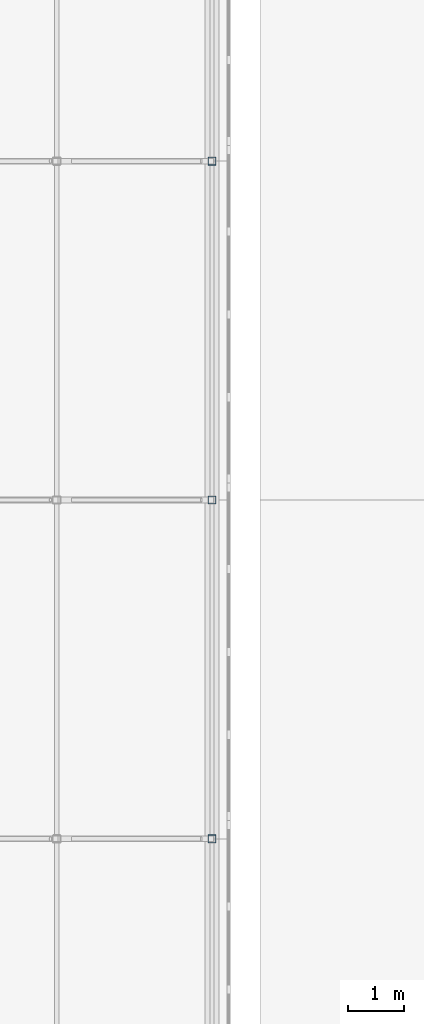
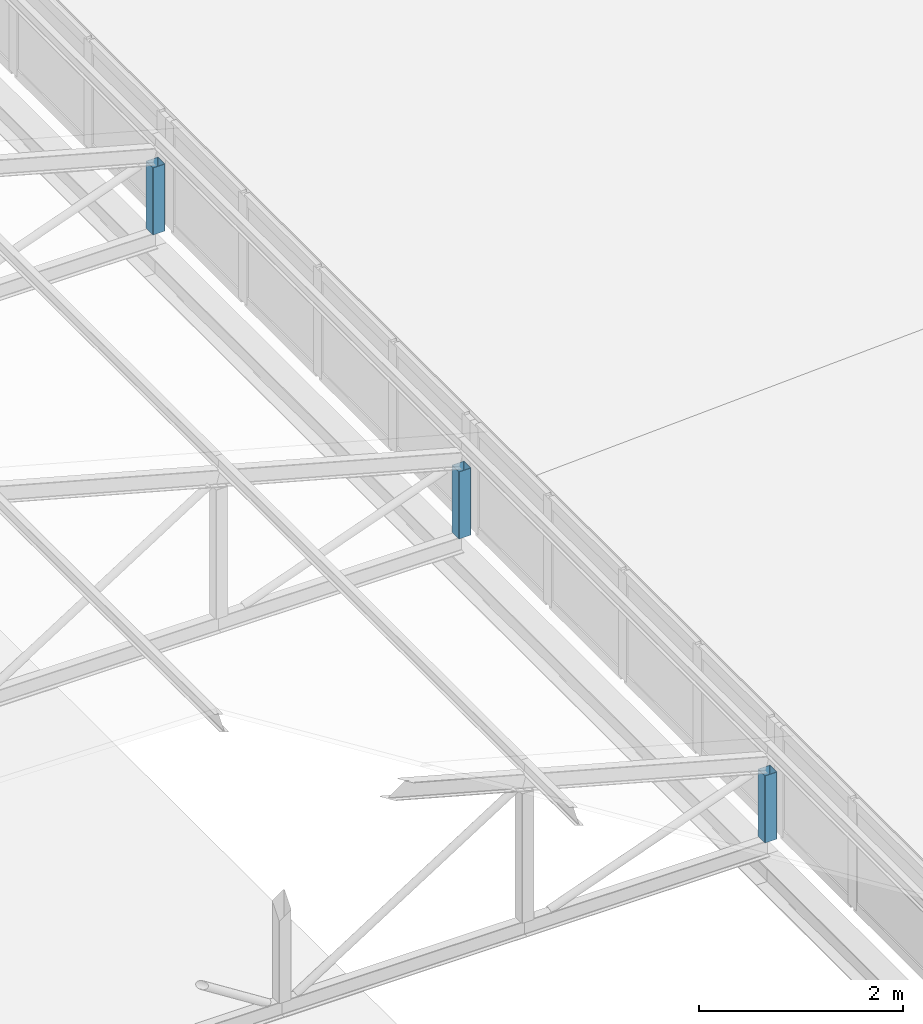
# One storey, part 67 of 94: 3 members.
"""IFC4 building model written with IfcOpenShell, lengths in metres."""

from ifc_helpers import new_model, si_unit, direction, frame, origin, origin_2d, place, context, subcontext, project, spatial, hollow_rectangle, extrude, material, material_profile, profile_set, type_object, element, save


model = new_model("IFC4")

# Units and contexts
model_context = context("Model", 3, precision=1e-05, world=origin(), true_north=direction((0.0, 1.0)))
body_context = subcontext(model_context, "Body", "Model", "MODEL_VIEW")
ifc_project = project(units=[si_unit("LENGTHUNIT", "METRE"), si_unit("AREAUNIT", "SQUARE_METRE"), si_unit("VOLUMEUNIT", "CUBIC_METRE"), si_unit("PLANEANGLEUNIT", "RADIAN"), si_unit("MASSUNIT", "GRAM", prefix="KILO")], contexts=[model_context])

# Site, building, storey
site_placement = place(None, origin())
site = spatial("IfcSite", under=ifc_project, at=site_placement, CompositionType="ELEMENT")
building_placement = place(site_placement, origin())
building = spatial("IfcBuilding", under=site, at=building_placement, Name="Lilac Gate Convention Centre", CompositionType="ELEMENT")
storey_placement = place(building_placement, frame((0.0, 0.0, 21.0)))
storey = spatial("IfcBuildingStorey", under=building, at=storey_placement, Name="L04", CompositionType="ELEMENT", Elevation=21.0)

# Members
ifc_material = material(Name="Steel Q355B", Category="steel")
ifc_material_profile = material_profile(ifc_material, hollow_rectangle(XDim=0.139892578125, YDim=0.139892578125, WallThickness=0.0048828125, InnerFilletRadius=0.0048828125, OuterFilletRadius=0.010009765625, at=origin_2d()), Name="SHS140x140x5")
ifc_profile_set = profile_set([ifc_material_profile], Name="Steel Q355B")
member_type = type_object("IfcMemberType", Name="Lantern post SHS140x140x5", PredefinedType="STRUT", material=ifc_profile_set)
for number, where, z_axis, x_axis, name in (
    (1, (28.60009765625, 48.0, 0.199951171875), (0.0, 0.0, 1.0), (1.0, 0.0, 0.0), "LV1 lantern truss 4 post 5"),
    (2, (28.60009765625, 54.0, 0.199951171875), (0.0, 0.0, 1.0), (1.0, 0.0, 0.0), "LV1 lantern truss 5 post 5"),
    (3, (28.60009765625, 60.0, 0.199951171875), (0.0, 0.0, 1.0), (1.0, 0.0, 0.0), "LV1 lantern truss 6 post 5"),
):
    element("IfcMember", number, at=place(storey_placement, frame(where, z_axis=z_axis, x_axis=x_axis)), inside=storey, type_object=member_type, Name=name, PredefinedType="STRUT", context=body_context, shape_type="SweptSolid", body=[
        extrude(hollow_rectangle(XDim=0.139892578125, YDim=0.139892578125, WallThickness=0.0048828125, InnerFilletRadius=0.0048828125, OuterFilletRadius=0.010009765625, at=origin_2d()), origin(), (0.0, 0.0, 1.0), 0.802001953125),
    ])

save(model, "model.ifc")
